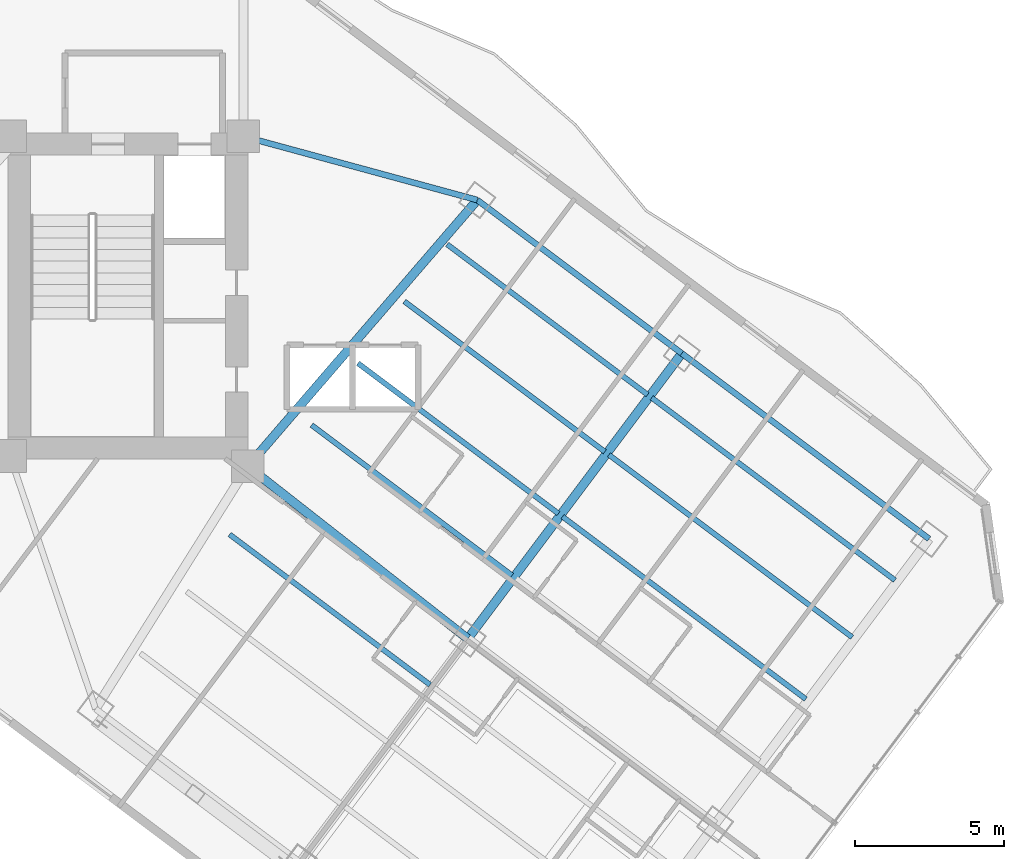
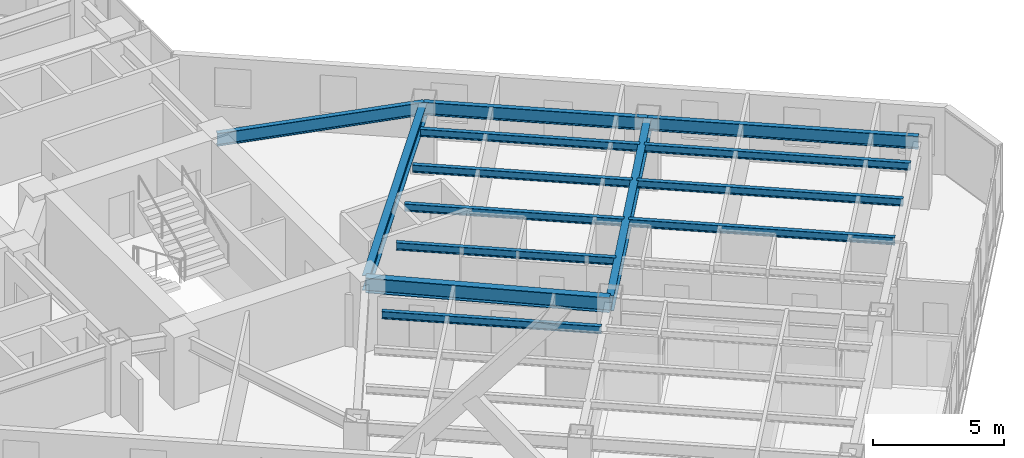
# One storey, part 11 of 30: 14 beams.
"""IFC4 building model written with IfcOpenShell, lengths in metres."""

from ifc_helpers import new_model, si_unit, direction, frame, origin, origin_2d, place, context, subcontext, project, spatial, i_section, extrude, material, material_profile, profile_set, type_object, element, save


model = new_model("IFC4")

# Units and contexts
model_context = context("Model", 3, precision=1e-05, world=origin(), true_north=direction((0.0, 1.0)))
body_context = subcontext(model_context, "Body", "Model", "MODEL_VIEW")
ifc_project = project(units=[si_unit("LENGTHUNIT", "METRE"), si_unit("AREAUNIT", "SQUARE_METRE"), si_unit("VOLUMEUNIT", "CUBIC_METRE"), si_unit("PLANEANGLEUNIT", "RADIAN"), si_unit("MASSUNIT", "GRAM", prefix="KILO")], contexts=[model_context])

# Site, building, storey
site_placement = place(None, origin())
site = spatial("IfcSite", under=ifc_project, at=site_placement, CompositionType="ELEMENT")
building_placement = place(site_placement, origin())
building = spatial("IfcBuilding", under=site, at=building_placement, Name="Hatsunagi Terrace Concourse", CompositionType="ELEMENT")
storey_placement = place(building_placement, frame((0.0, 0.0, 74.60009765625)))
storey = spatial("IfcBuildingStorey", under=building, at=storey_placement, Name="L19", CompositionType="ELEMENT", Elevation=74.60009765625)

# Beams
ifc_material_1 = material(Name="Steel SN490B", Category="steel")
ifc_material_profile_1 = material_profile(ifc_material_1, i_section(OverallWidth=0.300048828125, OverallDepth=0.699951171875, WebThickness=0.012939453125, FlangeThickness=0.02392578125, FilletRadius=0.02197265625, at=origin_2d()), Name="H-700x300x13x24")
ifc_profile_set_1 = profile_set([ifc_material_profile_1], Name="Steel SN490B")
beam_type_1 = type_object("IfcBeamType", Name="HotelFloorGirder_H_700x300", PredefinedType="BEAM", material=ifc_profile_set_1)
beam_1_placement = place(storey_placement, frame((43.800048828125, 24.199951171875, 2.77978515625), z_axis=(0.652739101421, 0.757582777969, 0.0), x_axis=(-0.757582777969, 0.652739101421, 0.0)))
element("IfcBeam", 1, at=beam_1_placement, inside=storey, type_object=beam_type_1, Name="Beam G-04 BM-L19-SET-1B", PredefinedType="BEAM", context=body_context, shape_type="SweptSolid", body=[
    extrude(i_section(OverallWidth=0.300048828125, OverallDepth=0.699951171875, WebThickness=0.012939453125, FlangeThickness=0.02392578125, FilletRadius=0.02197265625, at=origin_2d()), origin(), (0.0, 0.0, 1.0), 11.8271484375),
])
beam_2_placement = place(storey_placement, frame((43.800048828125, 24.199951171875, 2.77978515625), z_axis=(0.787049441068, -0.616889923175, 0.0), x_axis=(0.616889923175, 0.787049441068, 0.0)))
element("IfcBeam", 2, at=beam_2_placement, inside=storey, type_object=beam_type_1, Name="Beam G-04 BM-L19-SE-M2", PredefinedType="BEAM", context=body_context, shape_type="SweptSolid", body=[
    extrude(i_section(OverallWidth=0.300048828125, OverallDepth=0.699951171875, WebThickness=0.012939453125, FlangeThickness=0.02392578125, FilletRadius=0.02197265625, at=origin_2d()), origin(), (0.0, 0.0, 1.0), 9.402099609375),
])
beam_3_placement = place(storey_placement, frame((51.199951171875, 18.39990234375, 2.77978515625), z_axis=(0.59999348959, 0.800004882766, 0.0), x_axis=(-0.800004882766, 0.59999348959, 0.0)))
element("IfcBeam", 3, at=beam_3_placement, inside=storey, type_object=beam_type_1, Name="Beam G-04 BM-L19-SET-2B", PredefinedType="BEAM", context=body_context, shape_type="SweptSolid", body=[
    extrude(i_section(OverallWidth=0.300048828125, OverallDepth=0.699951171875, WebThickness=0.012939453125, FlangeThickness=0.02392578125, FilletRadius=0.02197265625, at=origin_2d()), origin(), (0.0, 0.0, 1.0), 12.0),
])
ifc_material_2 = material(Name="Steel SN490B", Category="steel")
ifc_material_profile_2 = material_profile(ifc_material_2, i_section(OverallWidth=0.175048828125, OverallDepth=0.35009765625, WebThickness=0.007080078125, FlangeThickness=0.010986328125, FilletRadius=0.012939453125, at=origin_2d()), Name="H-350x175x7x11")
ifc_profile_set_2 = profile_set([ifc_material_profile_2], Name="Steel SN490B")
beam_type_2 = type_object("IfcBeamType", Name="HotelJoist_H_350x175", PredefinedType="JOIST", material=ifc_profile_set_2)
for number, where, z_axis, x_axis, name in (
    (4, (43.18798828125, 21.908935546875, 2.954833984375), (0.800003475366, -0.59999536615, 0.0), (0.59999536615, 0.800003475366, 0.0), "Beam J-02 J-L19-SE-2-96"),
    (5, (45.947998046875, 25.589111328125, 2.954833984375), (0.799989573921, -0.600013901187, 0.0), (0.600013901187, 0.799989573921, 0.0), "Beam J-02 J-L19-SE-2-142"),
    (6, (47.508056640625, 27.6689453125, 2.954833984375), (0.800003475366, -0.59999536615, 0.0), (0.59999536615, 0.800003475366, 0.0), "Beam J-02 J-L19-SE-2-168"),
    (7, (49.068115234375, 29.7490234375, 2.954833984375), (0.799989573921, -0.600013901187, 0.0), (0.600013901187, 0.799989573921, 0.0), "Beam J-02 J-L19-SE-2-194"),
    (8, (50.508056640625, 31.6689453125, 2.954833984375), (0.800003475366, -0.59999536615, 0.0), (0.59999536615, 0.800003475366, 0.0), "Beam J-02 J-L19-SE-2-218"),
):
    element("IfcBeam", number, at=place(storey_placement, frame(where, z_axis=z_axis, x_axis=x_axis)), inside=storey, type_object=beam_type_2, Name=name, PredefinedType="JOIST", context=body_context, shape_type="SweptSolid", body=[
        extrude(i_section(OverallWidth=0.175048828125, OverallDepth=0.35009765625, WebThickness=0.007080078125, FlangeThickness=0.010986328125, FilletRadius=0.012939453125, at=origin_2d()), origin(), (0.0, 0.0, 1.0), 8.429931640625),
    ])
beam_4_placement = place(storey_placement, frame((54.387939453125, 22.509033203125, 2.954833984375), z_axis=(0.800005727586, -0.599992363142, 0.0), x_axis=(0.599992363142, 0.800005727586, 0.0)))
element("IfcBeam", 9, at=beam_4_placement, inside=storey, type_object=beam_type_2, Name="Beam J-02 J-L19-SE-3-168", PredefinedType="JOIST", context=body_context, shape_type="SweptSolid", body=[
    extrude(i_section(OverallWidth=0.175048828125, OverallDepth=0.35009765625, WebThickness=0.007080078125, FlangeThickness=0.010986328125, FilletRadius=0.012939453125, at=origin_2d()), origin(), (0.0, 0.0, 1.0), 10.22998046875),
])
beam_5_placement = place(storey_placement, frame((55.947998046875, 24.589111328125, 2.954833984375), z_axis=(0.799994272423, -0.600007636694, 0.0), x_axis=(0.600007636694, 0.799994272423, 0.0)))
element("IfcBeam", 10, at=beam_5_placement, inside=storey, type_object=beam_type_2, Name="Beam J-02 J-L19-SE-3-194", PredefinedType="JOIST", context=body_context, shape_type="SweptSolid", body=[
    extrude(i_section(OverallWidth=0.175048828125, OverallDepth=0.35009765625, WebThickness=0.007080078125, FlangeThickness=0.010986328125, FilletRadius=0.012939453125, at=origin_2d()), origin(), (0.0, 0.0, 1.0), 10.230224609375),
])
beam_6_placement = place(storey_placement, frame((57.387939453125, 26.509033203125, 2.954833984375), z_axis=(0.800005727586, -0.599992363142, 0.0), x_axis=(0.599992363142, 0.800005727586, 0.0)))
element("IfcBeam", 11, at=beam_6_placement, inside=storey, type_object=beam_type_2, Name="Beam J-02 J-L19-SE-3-218", PredefinedType="JOIST", context=body_context, shape_type="SweptSolid", body=[
    extrude(i_section(OverallWidth=0.175048828125, OverallDepth=0.35009765625, WebThickness=0.007080078125, FlangeThickness=0.010986328125, FilletRadius=0.012939453125, at=origin_2d()), origin(), (0.0, 0.0, 1.0), 10.22998046875),
])
ifc_material_3 = material(Name="Steel SN490B", Category="steel")
ifc_material_profile_3 = material_profile(ifc_material_3, i_section(OverallWidth=0.199951171875, OverallDepth=0.60009765625, WebThickness=0.010986328125, FlangeThickness=0.01708984375, FilletRadius=0.01806640625, at=origin_2d()), Name="H-600x200x11x17")
ifc_profile_set_3 = profile_set([ifc_material_profile_3], Name="Steel SN490B")
beam_type_3 = type_object("IfcBeamType", Name="PerimeterSpandrel_H_600x200", PredefinedType="SPANDREL", material=ifc_profile_set_3)
beam_7_placement = place(storey_placement, frame((43.64990234375, 35.300048828125, 2.829833984375), z_axis=(0.964958359286, -0.262403057994, 0.0), x_axis=(0.262403057994, 0.964958359286, 0.0)))
element("IfcBeam", 12, at=beam_7_placement, inside=storey, type_object=beam_type_3, Name="Beam SP-01 BM-L19-SE-NE0", PredefinedType="SPANDREL", context=body_context, shape_type="SweptSolid", body=[
    extrude(i_section(OverallWidth=0.199951171875, OverallDepth=0.60009765625, WebThickness=0.010986328125, FlangeThickness=0.01708984375, FilletRadius=0.01806640625, at=origin_2d()), origin(), (0.0, 0.0, 1.0), 8.156005859375),
])
beam_8_placement = place(storey_placement, frame((51.52001953125, 33.159912109375, 2.829833984375), z_axis=(0.8, -0.6, 0.0), x_axis=(0.6, 0.8, 0.0)))
element("IfcBeam", 13, at=beam_8_placement, inside=storey, type_object=beam_type_3, Name="Beam SP-01 BM-L19-SE-NE2", PredefinedType="SPANDREL", context=body_context, shape_type="SweptSolid", body=[
    extrude(i_section(OverallWidth=0.199951171875, OverallDepth=0.60009765625, WebThickness=0.010986328125, FlangeThickness=0.01708984375, FilletRadius=0.01806640625, at=origin_2d()), origin(), (0.0, 0.0, 1.0), 8.599853515625),
])
beam_9_placement = place(storey_placement, frame((58.39990234375, 28.0, 2.829833984375), z_axis=(0.800002816985, -0.599996244001, 0.0), x_axis=(0.599996244001, 0.800002816985, 0.0)))
element("IfcBeam", 14, at=beam_9_placement, inside=storey, type_object=beam_type_3, Name="Beam SP-01 BM-L19-SE-NE3", PredefinedType="SPANDREL", context=body_context, shape_type="SweptSolid", body=[
    extrude(i_section(OverallWidth=0.199951171875, OverallDepth=0.60009765625, WebThickness=0.010986328125, FlangeThickness=0.01708984375, FilletRadius=0.01806640625, at=origin_2d()), origin(), (0.0, 0.0, 1.0), 10.400146484375),
])

save(model, "model.ifc")
